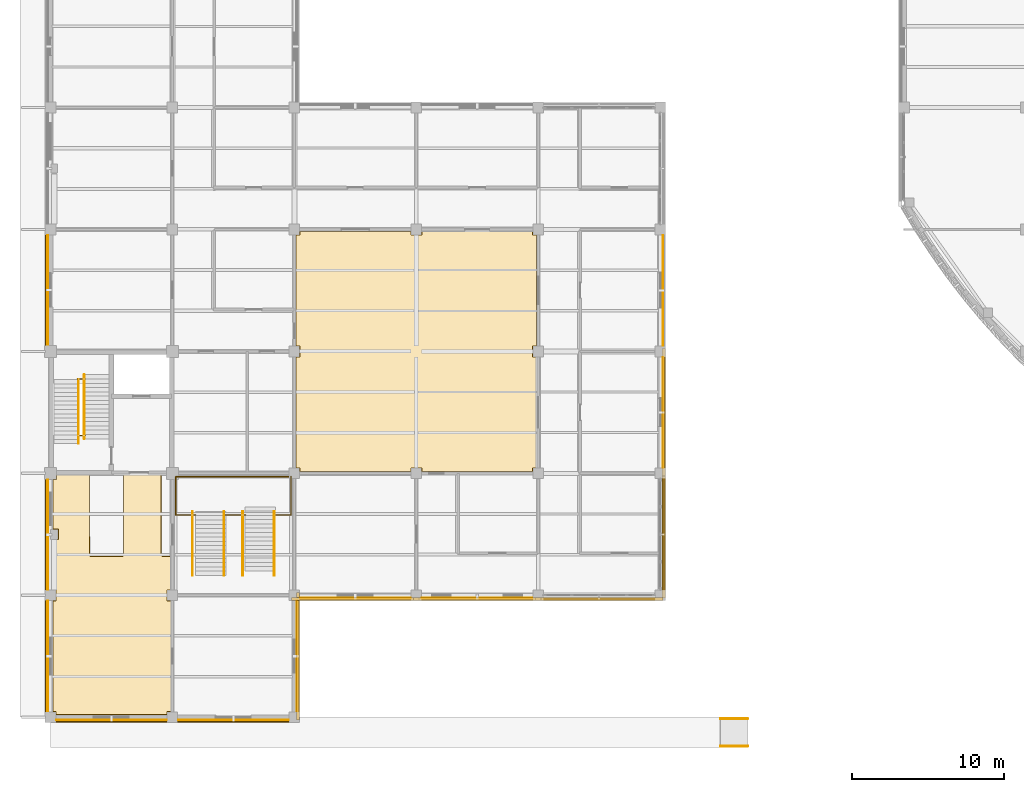
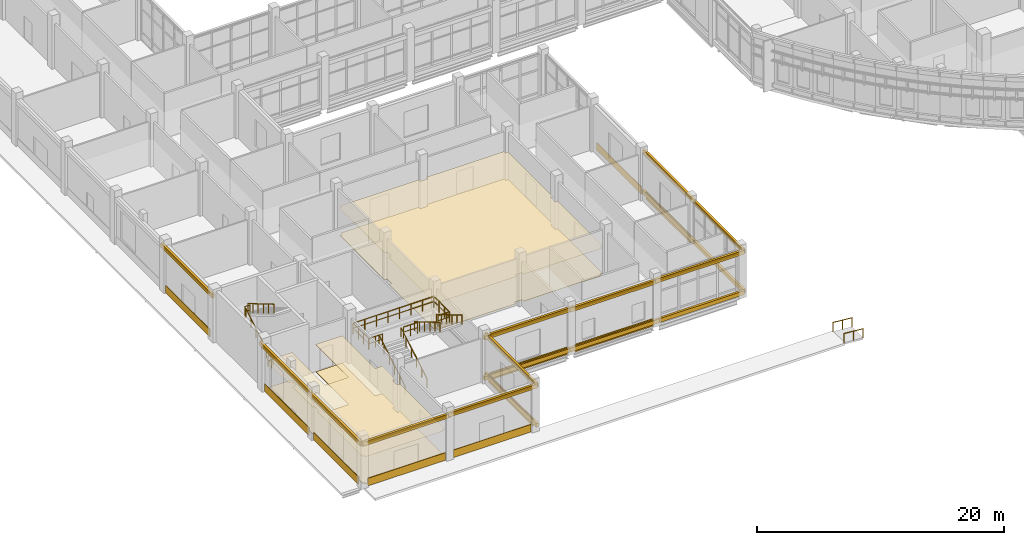
# One storey, part 92 of 105: 31 coverings, 16 railings, 11 shading devices.
"""IFC4 building model written with IfcOpenShell, lengths in metres."""

from ifc_helpers import new_model, si_unit, derived_unit, direction, frame, origin, origin_2d, place, context, subcontext, project, spatial, polyline, rectangle, circle, outline, extrude, material, layer, layer_set, material_profile, profile_set, type_object, element, save


model = new_model("IFC4")

# Units and contexts
model_context = context("Model", 3, precision=1e-05, world=origin(), true_north=direction((0.0, 1.0)))
body_context = subcontext(model_context, "Body", "Model", "MODEL_VIEW")
ifc_project = project(units=[si_unit("LENGTHUNIT", "METRE"), si_unit("AREAUNIT", "SQUARE_METRE"), si_unit("VOLUMEUNIT", "CUBIC_METRE"), si_unit("PLANEANGLEUNIT", "RADIAN"), si_unit("MASSUNIT", "GRAM", prefix="KILO"), derived_unit("THERMALTRANSMITTANCEUNIT", [(si_unit("MASSUNIT", "GRAM", prefix="KILO"), 1), (si_unit("TIMEUNIT", "SECOND"), -3), (si_unit("THERMODYNAMICTEMPERATUREUNIT", "KELVIN"), -1)])], contexts=[model_context])

# Site, building, storey
site_placement = place(None, origin())
site = spatial("IfcSite", under=ifc_project, at=site_placement, CompositionType="ELEMENT")
building_placement = place(site_placement, origin())
building = spatial("IfcBuilding", under=site, at=building_placement, Name="Veyamyaing Civic Hall", CompositionType="ELEMENT")
storey_placement = place(building_placement, origin())
storey = spatial("IfcBuildingStorey", under=building, at=storey_placement, Name="L00", CompositionType="ELEMENT", Elevation=0.0)

# Coverings
ifc_material_1 = material(Name="Buff sandstone ashlar cladding", Category="masonry")
ifc_layer_1 = layer(ifc_material_1, 0.050048828125, Name="Buff sandstone ashlar cladding")
ifc_layer_set_1 = layer_set([ifc_layer_1], Name="Buff sandstone ashlar cladding")
covering_type_1 = type_object("IfcCoveringType", Name="CL-01", PredefinedType="CLADDING", material=ifc_layer_set_1)
for number, where, z_axis, x_axis, name in (
    (1, (4.0, -0.180908203125, 0.044921875), (0.0, 0.0, 1.0), (1.0, 0.0, 0.0), "Facade spandrel cladding CL-01 L00 S 1.1"),
    (2, (-0.180908203125, 4.0, 0.044921875), (0.0, 0.0, 1.0), (0.0, 1.0, 0.0), "Facade spandrel cladding CL-01 L00 W 1.1"),
):
    element("IfcCovering", number, at=place(storey_placement, frame(where, z_axis=z_axis, x_axis=x_axis)), inside=storey, type_object=covering_type_1, Name=name, PredefinedType="CLADDING", context=body_context, shape_type="SweptSolid", body=[
        extrude(rectangle(XDim=7.25, YDim=0.050048828125, at=origin_2d()), origin(), (0.0, 0.0, 1.0), 0.75),
    ])
for number, where, z_axis, x_axis, name in (
    (3, (-0.180908203125, 11.97509765625, 0.044921875), (0.0, 0.0, 1.0), (0.0, 1.0, 0.0), "Facade spandrel cladding CL-01 L00 W 1.2"),
    (4, (-0.180908203125, 28.02490234375, 0.044921875), (0.0, 0.0, 1.0), (0.0, 1.0, 0.0), "Facade spandrel cladding CL-01 L00 W 1.4"),
):
    element("IfcCovering", number, at=place(storey_placement, frame(where, z_axis=z_axis, x_axis=x_axis)), inside=storey, type_object=covering_type_1, Name=name, PredefinedType="CLADDING", context=body_context, shape_type="SweptSolid", body=[
        extrude(rectangle(XDim=7.199951171875, YDim=0.050048828125, at=origin_2d()), origin(), (0.0, 0.0, 1.0), 0.75),
    ])
for number, where, z_axis, x_axis, name in (
    (5, (12.0, -0.180908203125, 0.044921875), (0.0, 0.0, 1.0), (1.0, 0.0, 0.0), "Facade spandrel cladding CL-01 L00 S 2.1"),
    (6, (16.180908203125, 4.0, 0.044921875), (0.0, 0.0, 1.0), (0.0, 1.0, 0.0), "Facade spandrel cladding CL-01 L00 E 2.1"),
    (7, (20.0, 7.819091796875, 0.044921875), (0.0, 0.0, 1.0), (1.0, 0.0, 0.0), "Facade spandrel cladding CL-01 L00 S 3.2"),
    (8, (28.0, 7.819091796875, 0.044921875), (0.0, 0.0, 1.0), (1.0, 0.0, 0.0), "Facade spandrel cladding CL-01 L00 S 4.2"),
    (9, (40.180908203125, 20.0, 0.044921875), (0.0, 0.0, 1.0), (0.0, 1.0, 0.0), "Facade spandrel cladding CL-01 L00 E 5.3"),
    (10, (40.180908203125, 28.0, 0.044921875), (0.0, 0.0, 1.0), (0.0, 1.0, 0.0), "Facade spandrel cladding CL-01 L00 E 5.4"),
):
    element("IfcCovering", number, at=place(storey_placement, frame(where, z_axis=z_axis, x_axis=x_axis)), inside=storey, type_object=covering_type_1, Name=name, PredefinedType="CLADDING", context=body_context, shape_type="SweptSolid", body=[
        extrude(rectangle(XDim=7.25, YDim=0.050048828125, at=origin_2d()), origin(), (0.0, 0.0, 1.0), 0.75),
    ])
ifc_material_2 = material(Name="White powder-coated aluminium 6063-T6", Category="aluminium")
ifc_layer_2 = layer(ifc_material_2, 0.2099609375, Name="White powder-coated aluminium 6063-T6")
ifc_layer_set_2 = layer_set([ifc_layer_2], Name="White powder-coated aluminium 6063-T6")
covering_type_2 = type_object("IfcCoveringType", Name="CL-03", PredefinedType="CLADDING", material=ifc_layer_set_2)
for number, where, z_axis, x_axis, name in (
    (11, (4.0, -0.239990234375, 4.22998046875), (0.0, 0.0, 1.0), (1.0, 0.0, 0.0), "Continuous white head fascia ribbon CL-03 L00 S 1.1"),
    (12, (-0.239990234375, 4.0, 4.22998046875), (0.0, 0.0, 1.0), (0.0, 1.0, 0.0), "Continuous white head fascia ribbon CL-03 L00 W 1.1"),
    (13, (-0.239990234375, 12.0, 4.2939453125), (0.0, 0.0, 1.0), (0.0, 1.0, 0.0), "Continuous white head fascia ribbon CL-03 L00 W 1.2"),
    (14, (-0.239990234375, 28.0, 4.297119140625), (0.0, 0.0, 1.0), (0.0, 1.0, 0.0), "Continuous white head fascia ribbon CL-03 L00 W 1.4"),
    (15, (12.0, -0.239990234375, 4.2939453125), (0.0, 0.0, 1.0), (1.0, 0.0, 0.0), "Continuous white head fascia ribbon CL-03 L00 S 2.1"),
    (16, (16.239990234375, 4.0, 4.234130859375), (0.0, 0.0, 1.0), (0.0, 1.0, 0.0), "Continuous white head fascia ribbon CL-03 L00 E 2.1"),
    (17, (16.239990234375, 4.0, 0.280029296875), (0.0, 0.0, 1.0), (0.0, 1.0, 0.0), "Continuous white sill fascia ribbon CL-03 L00 E 2.1"),
    (18, (20.0, 7.760009765625, 4.297119140625), (0.0, 0.0, 1.0), (1.0, 0.0, 0.0), "Continuous white head fascia ribbon CL-03 L00 S 3.2"),
    (19, (20.0, 7.760009765625, 0.280029296875), (0.0, 0.0, 1.0), (1.0, 0.0, 0.0), "Continuous white sill fascia ribbon CL-03 L00 S 3.2"),
    (20, (28.0, 7.760009765625, 4.22998046875), (0.0, 0.0, 1.0), (1.0, 0.0, 0.0), "Continuous white head fascia ribbon CL-03 L00 S 4.2"),
    (21, (28.0, 7.760009765625, 0.280029296875), (0.0, 0.0, 1.0), (1.0, 0.0, 0.0), "Continuous white sill fascia ribbon CL-03 L00 S 4.2"),
    (22, (36.0, 7.760009765625, 4.2939453125), (0.0, 0.0, 1.0), (1.0, 0.0, 0.0), "Continuous white head fascia ribbon CL-03 L00 S 5.2"),
    (23, (36.0, 7.760009765625, 0.280029296875), (0.0, 0.0, 1.0), (1.0, 0.0, 0.0), "Continuous white sill fascia ribbon CL-03 L00 S 5.2"),
    (24, (40.239990234375, 12.0, 4.234130859375), (0.0, 0.0, 1.0), (0.0, 1.0, 0.0), "Continuous white head fascia ribbon CL-03 L00 E 5.2"),
    (25, (40.239990234375, 12.0, 0.280029296875), (0.0, 0.0, 1.0), (0.0, 1.0, 0.0), "Continuous white sill fascia ribbon CL-03 L00 E 5.2"),
    (26, (40.239990234375, 20.0, 4.297119140625), (0.0, 0.0, 1.0), (0.0, 1.0, 0.0), "Continuous white head fascia ribbon CL-03 L00 E 5.3"),
    (27, (40.239990234375, 20.0, 0.280029296875), (0.0, 0.0, 1.0), (0.0, 1.0, 0.0), "Continuous white sill fascia ribbon CL-03 L00 E 5.3"),
):
    element("IfcCovering", number, at=place(storey_placement, frame(where, z_axis=z_axis, x_axis=x_axis)), inside=storey, type_object=covering_type_2, Name=name, PredefinedType="CLADDING", context=body_context, shape_type="SweptSolid", body=[
        extrude(rectangle(XDim=8.360107421875, YDim=0.2099609375, at=origin_2d()), origin(), (0.0, 0.0, 1.0), 0.39990234375),
    ])
ifc_material_3 = material(Name="Perforated acoustic gypsum ceiling board")
ifc_layer_3 = layer(ifc_material_3, 0.02490234375, Name="Perforated acoustic gypsum ceiling board")
ifc_layer_set_3 = layer_set([ifc_layer_3], Name="Perforated acoustic gypsum ceiling board")
covering_type_3 = type_object("IfcCoveringType", Name="CLG-01", PredefinedType="CEILING", material=ifc_layer_set_3)
covering_1_placement = place(storey_placement, frame((0.0, 0.0, 2.699951171875)))
element("IfcCovering", 28, at=covering_1_placement, inside=storey, type_object=covering_type_3, Name="Acoustic suspended ceiling CLG-01 L00-H01", PredefinedType="CEILING", context=body_context, shape_type="SweptSolid", body=[
    extrude(outline(polyline([(31.6650390625, 23.6650390625), (31.905029296875, 23.6650390625), (31.905029296875, 16.3349609375), (31.6650390625, 16.3349609375), (31.6650390625, 16.094970703125), (24.3349609375, 16.094970703125), (24.3349609375, 16.3349609375), (23.6650390625, 16.3349609375), (23.6650390625, 16.094970703125), (16.3349609375, 16.094970703125), (16.3349609375, 16.3349609375), (16.094970703125, 16.3349609375), (16.094970703125, 23.6650390625), (16.3349609375, 23.6650390625), (16.3349609375, 24.3349609375), (16.094970703125, 24.3349609375), (16.094970703125, 31.6650390625), (16.3349609375, 31.6650390625), (16.3349609375, 31.905029296875), (23.6650390625, 31.905029296875), (23.6650390625, 31.6650390625), (24.3349609375, 31.6650390625), (24.3349609375, 31.905029296875), (31.6650390625, 31.905029296875), (31.6650390625, 31.6650390625), (31.905029296875, 31.6650390625), (31.905029296875, 24.3349609375), (31.6650390625, 24.3349609375), (31.6650390625, 23.6650390625)])), origin(), (0.0, 0.0, 1.0), 0.025146484375),
])
covering_2_placement = place(storey_placement, frame((0.0, 0.0, 2.699951171875)))
element("IfcCovering", 29, at=covering_2_placement, inside=storey, type_object=covering_type_3, Name="Acoustic suspended ceiling CLG-01 L00-C01", PredefinedType="CEILING", context=body_context, shape_type="SweptSolid", body=[
    extrude(outline(polyline([(2.58837890625, 10.60791015625), (2.602294921875, 10.5927734375), (2.62890625, 10.578369140625), (2.65185546875, 10.574951171875), (4.6982421875, 10.574951171875), (4.7216796875, 10.57861328125), (4.741455078125, 10.587890625), (4.7578125, 10.6025390625), (4.768798828125, 10.620849609375), (4.77490234375, 10.652587890625), (4.77490234375, 15.925048828125), (7.27490234375, 15.925048828125), (7.275390625, 10.643310546875), (7.28076171875, 10.6220703125), (7.297607421875, 10.5966796875), (7.314208984375, 10.58447265625), (7.343994140625, 10.575439453125), (7.925048828125, 10.574951171875), (7.925048828125, 8.3349609375), (7.6650390625, 8.3349609375), (7.6650390625, 7.6650390625), (7.925048828125, 7.6650390625), (7.925048828125, 0.3349609375), (7.6650390625, 0.3349609375), (7.6650390625, 0.155029296875), (0.3349609375, 0.155029296875), (0.3349609375, 0.3349609375), (0.155029296875, 0.3349609375), (0.155029296875, 7.6650390625), (0.3349609375, 7.6650390625), (0.3349609375, 8.3349609375), (0.155029296875, 8.3349609375), (0.155029296875, 11.68994140625), (0.485107421875, 11.68994140625), (0.485107421875, 12.31005859375), (0.155029296875, 12.31005859375), (0.155029296875, 15.614990234375), (0.385009765625, 15.614990234375), (0.385009765625, 15.925048828125), (2.574951171875, 15.925048828125), (2.576904296875, 10.635498046875), (2.58837890625, 10.60791015625)])), origin(), (0.0, 0.0, 1.0), 0.025146484375),
])
ifc_material_4 = material(Name="Polished Mandalay marble and terrazzo flooring", Category="masonry")
ifc_layer_4 = layer(ifc_material_4, 0.030029296875, Name="Polished Mandalay marble and terrazzo flooring")
ifc_layer_set_4 = layer_set([ifc_layer_4], Name="Polished Mandalay marble and terrazzo flooring")
covering_type_4 = type_object("IfcCoveringType", Name="FLR-01", PredefinedType="FLOORING", material=ifc_layer_set_4)
covering_3_placement = place(storey_placement, origin())
element("IfcCovering", 30, at=covering_3_placement, inside=storey, type_object=covering_type_4, Name="Stone and terrazzo flooring FLR-01 L00-H01", PredefinedType="FLOORING", context=body_context, shape_type="SweptSolid", body=[
    extrude(outline(polyline([(31.639892578125, 23.639892578125), (31.8798828125, 23.639892578125), (31.8798828125, 16.360107421875), (31.639892578125, 16.360107421875), (31.639892578125, 16.1201171875), (24.360107421875, 16.1201171875), (24.360107421875, 16.360107421875), (23.639892578125, 16.360107421875), (23.639892578125, 16.1201171875), (16.360107421875, 16.1201171875), (16.360107421875, 16.360107421875), (16.1201171875, 16.360107421875), (16.1201171875, 23.639892578125), (16.360107421875, 23.639892578125), (16.360107421875, 24.360107421875), (16.1201171875, 24.360107421875), (16.1201171875, 31.639892578125), (16.360107421875, 31.639892578125), (16.360107421875, 31.8798828125), (23.639892578125, 31.8798828125), (23.639892578125, 31.639892578125), (24.360107421875, 31.639892578125), (24.360107421875, 31.8798828125), (31.639892578125, 31.8798828125), (31.639892578125, 31.639892578125), (31.8798828125, 31.639892578125), (31.8798828125, 24.360107421875), (31.639892578125, 24.360107421875), (31.639892578125, 23.639892578125)])), origin(), (0.0, 0.0, 1.0), 0.030029296875),
])
covering_4_placement = place(storey_placement, origin())
element("IfcCovering", 31, at=covering_4_placement, inside=storey, type_object=covering_type_4, Name="Stone and terrazzo flooring FLR-01 L00-C01", PredefinedType="FLOORING", context=body_context, shape_type="SweptSolid", body=[
    extrude(outline(polyline([(2.56689453125, 10.594482421875), (2.586669921875, 10.57275390625), (2.62109375, 10.55419921875), (2.64990234375, 10.550048828125), (4.699951171875, 10.550048828125), (4.72900390625, 10.55419921875), (4.755615234375, 10.56689453125), (4.77734375, 10.586669921875), (4.79248046875, 10.61181640625), (4.800048828125, 10.64990234375), (4.800048828125, 15.89990234375), (7.25, 15.89990234375), (7.25048828125, 10.64013671875), (7.257568359375, 10.61181640625), (7.279296875, 10.579345703125), (7.302978515625, 10.561767578125), (7.340087890625, 10.550537109375), (7.89990234375, 10.550048828125), (7.89990234375, 8.360107421875), (7.639892578125, 8.360107421875), (7.639892578125, 7.639892578125), (7.89990234375, 7.639892578125), (7.89990234375, 0.360107421875), (7.639892578125, 0.360107421875), (7.639892578125, 0.179931640625), (0.360107421875, 0.179931640625), (0.360107421875, 0.360107421875), (0.179931640625, 0.360107421875), (0.179931640625, 7.639892578125), (0.360107421875, 7.639892578125), (0.360107421875, 8.360107421875), (0.179931640625, 8.360107421875), (0.179931640625, 11.6650390625), (0.510009765625, 11.6650390625), (0.510009765625, 12.3349609375), (0.179931640625, 12.3349609375), (0.179931640625, 15.590087890625), (0.409912109375, 15.590087890625), (0.409912109375, 15.89990234375), (2.550048828125, 15.89990234375), (2.552001953125, 10.630615234375), (2.56689453125, 10.594482421875)])), origin(), (0.0, 0.0, 1.0), 0.030029296875),
])

# Railings
ifc_material_5 = material(Name="Steel S355J2", Category="steel")
railing_type_1 = type_object("IfcRailingType", Name="RL-01", PredefinedType="BALUSTRADE", material=ifc_material_5)
railing_1_placement = place(storey_placement, frame((1.780029296875, 22.18994140625, 2.639892578125)))
element("IfcRailing", 32, at=railing_1_placement, inside=storey, type_object=railing_type_1, Name="Half-landing slot guard RL-01 ST-09 L00", PredefinedType="BALUSTRADE", context=body_context, shape_type="SweptSolid", body=[
    extrude(circle(Radius=0.02392578125, at=origin_2d()), frame((0.0, 0.0, 1.076171875), z_axis=(1.0, 0.0, 0.0), x_axis=(0.0, 1.0, 0.0)), (0.0, 0.0, 1.0), 0.489990234375),
    extrude(circle(Radius=0.01416015625, at=origin_2d()), frame((0.0, 0.0, 0.572021484375), z_axis=(1.0, 0.0, 0.0), x_axis=(0.0, 1.0, 0.0)), (0.0, 0.0, 1.0), 0.489990234375),
    extrude(circle(Radius=0.02099609375, at=origin_2d()), origin(), (0.0, 0.0, 1.0), 1.052001953125),
    extrude(circle(Radius=0.02099609375, at=origin_2d()), frame((0.489990234375, 0.0, 0.0)), (0.0, 0.0, 1.0), 1.052001953125),
])
railing_2_placement = place(storey_placement, frame((1.800048828125, 18.47998046875, 0.0)))
element("IfcRailing", 33, at=railing_2_placement, inside=storey, type_object=railing_type_1, Name="Floor-landing slot guard RL-01 ST-09 L00", PredefinedType="BALUSTRADE", context=body_context, shape_type="SweptSolid", body=[
    extrude(circle(Radius=0.02392578125, at=origin_2d()), frame((0.0, 0.0, 1.076171875), z_axis=(1.0, 0.0, 0.0), x_axis=(0.0, 1.0, 0.0)), (0.0, 0.0, 1.0), 0.469970703125),
    extrude(circle(Radius=0.01416015625, at=origin_2d()), frame((0.0, 0.0, 0.572021484375), z_axis=(1.0, 0.0, 0.0), x_axis=(0.0, 1.0, 0.0)), (0.0, 0.0, 1.0), 0.469970703125),
    extrude(circle(Radius=0.02099609375, at=origin_2d()), origin(), (0.0, 0.0, 1.0), 1.052001953125),
    extrude(circle(Radius=0.02099609375, at=origin_2d()), frame((0.469970703125, 0.0, 0.0)), (0.0, 0.0, 1.0), 1.052001953125),
])
railing_3_placement = place(storey_placement, frame((8.219970703125, 13.260009765625, 2.639892578125)))
element("IfcRailing", 34, at=railing_3_placement, inside=storey, type_object=railing_type_1, Name="Monumental stair half-landing guard ST-07.1", PredefinedType="BALUSTRADE", context=body_context, shape_type="SweptSolid", body=[
    extrude(circle(Radius=0.02392578125, at=origin_2d()), frame((0.0, 0.0, 1.076171875), z_axis=(1.0, 0.0, 0.0), x_axis=(0.0, 1.0, 0.0)), (0.0, 0.0, 1.0), 1.300048828125),
    extrude(circle(Radius=0.01416015625, at=origin_2d()), frame((0.0, 0.0, 0.572021484375), z_axis=(1.0, 0.0, 0.0), x_axis=(0.0, 1.0, 0.0)), (0.0, 0.0, 1.0), 1.300048828125),
    extrude(circle(Radius=0.02099609375, at=origin_2d()), origin(), (0.0, 0.0, 1.0), 1.052001953125),
    extrude(circle(Radius=0.02099609375, at=origin_2d()), frame((0.64990234375, 0.0, 0.0)), (0.0, 0.0, 1.0), 1.052001953125),
    extrude(circle(Radius=0.02099609375, at=origin_2d()), frame((1.300048828125, 0.0, 0.0)), (0.0, 0.0, 1.0), 1.052001953125),
])
railing_4_placement = place(storey_placement, frame((8.219970703125, 13.260009765625, 2.639892578125)))
element("IfcRailing", 35, at=railing_4_placement, inside=storey, type_object=railing_type_1, Name="Monumental stair half-landing guard ST-07.2", PredefinedType="BALUSTRADE", context=body_context, shape_type="SweptSolid", body=[
    extrude(circle(Radius=0.02392578125, at=origin_2d()), frame((0.0, 0.0, 1.076171875), z_axis=(0.0, 1.0, 0.0), x_axis=(-1.0, 0.0, 0.0)), (0.0, 0.0, 1.0), 2.52001953125),
    extrude(circle(Radius=0.01416015625, at=origin_2d()), frame((0.0, 0.0, 0.572021484375), z_axis=(0.0, 1.0, 0.0), x_axis=(-1.0, 0.0, 0.0)), (0.0, 0.0, 1.0), 2.52001953125),
    extrude(circle(Radius=0.02099609375, at=origin_2d()), origin(), (0.0, 0.0, 1.0), 1.052001953125),
    extrude(circle(Radius=0.02099609375, at=origin_2d()), frame((0.0, 0.840087890625, 0.0)), (0.0, 0.0, 1.0), 1.052001953125),
    extrude(circle(Radius=0.02099609375, at=origin_2d()), frame((0.0, 1.679931640625, 0.0)), (0.0, 0.0, 1.0), 1.052001953125),
    extrude(circle(Radius=0.02099609375, at=origin_2d()), frame((0.0, 2.52001953125, 0.0)), (0.0, 0.0, 1.0), 1.052001953125),
])
railing_5_placement = place(storey_placement, frame((8.219970703125, 15.780029296875, 2.639892578125)))
element("IfcRailing", 36, at=railing_5_placement, inside=storey, type_object=railing_type_1, Name="Monumental stair half-landing guard ST-07.3", PredefinedType="BALUSTRADE", context=body_context, shape_type="SweptSolid", body=[
    extrude(circle(Radius=0.02392578125, at=origin_2d()), frame((0.0, 0.0, 1.076171875), z_axis=(1.0, 0.0, 0.0), x_axis=(0.0, 1.0, 0.0)), (0.0, 0.0, 1.0), 7.56005859375),
    extrude(circle(Radius=0.01416015625, at=origin_2d()), frame((0.0, 0.0, 0.572021484375), z_axis=(1.0, 0.0, 0.0), x_axis=(0.0, 1.0, 0.0)), (0.0, 0.0, 1.0), 7.56005859375),
    extrude(circle(Radius=0.02099609375, at=origin_2d()), origin(), (0.0, 0.0, 1.0), 1.052001953125),
    extrude(circle(Radius=0.02099609375, at=origin_2d()), frame((1.080078125, 0.0, 0.0)), (0.0, 0.0, 1.0), 1.052001953125),
    extrude(circle(Radius=0.02099609375, at=origin_2d()), frame((2.159912109375, 0.0, 0.0)), (0.0, 0.0, 1.0), 1.052001953125),
    extrude(circle(Radius=0.02099609375, at=origin_2d()), frame((3.239990234375, 0.0, 0.0)), (0.0, 0.0, 1.0), 1.052001953125),
    extrude(circle(Radius=0.02099609375, at=origin_2d()), frame((4.320068359375, 0.0, 0.0)), (0.0, 0.0, 1.0), 1.052001953125),
    extrude(circle(Radius=0.02099609375, at=origin_2d()), frame((5.400146484375, 0.0, 0.0)), (0.0, 0.0, 1.0), 1.052001953125),
    extrude(circle(Radius=0.02099609375, at=origin_2d()), frame((6.47998046875, 0.0, 0.0)), (0.0, 0.0, 1.0), 1.052001953125),
    extrude(circle(Radius=0.02099609375, at=origin_2d()), frame((7.56005859375, 0.0, 0.0)), (0.0, 0.0, 1.0), 1.052001953125),
])
railing_6_placement = place(storey_placement, frame((15.780029296875, 15.780029296875, 2.639892578125)))
element("IfcRailing", 37, at=railing_6_placement, inside=storey, type_object=railing_type_1, Name="Monumental stair half-landing guard ST-07.4", PredefinedType="BALUSTRADE", context=body_context, shape_type="SweptSolid", body=[
    extrude(circle(Radius=0.02392578125, at=origin_2d()), frame((0.0, 0.0, 1.076171875), z_axis=(0.0, -1.0, 0.0), x_axis=(1.0, 0.0, 0.0)), (0.0, 0.0, 1.0), 2.52001953125),
    extrude(circle(Radius=0.01416015625, at=origin_2d()), frame((0.0, 0.0, 0.572021484375), z_axis=(0.0, -1.0, 0.0), x_axis=(1.0, 0.0, 0.0)), (0.0, 0.0, 1.0), 2.52001953125),
    extrude(circle(Radius=0.02099609375, at=origin_2d()), origin(), (0.0, 0.0, 1.0), 1.052001953125),
    extrude(circle(Radius=0.02099609375, at=origin_2d()), frame((0.0, -0.840087890625, 0.0)), (0.0, 0.0, 1.0), 1.052001953125),
    extrude(circle(Radius=0.02099609375, at=origin_2d()), frame((0.0, -1.679931640625, 0.0)), (0.0, 0.0, 1.0), 1.052001953125),
    extrude(circle(Radius=0.02099609375, at=origin_2d()), frame((0.0, -2.52001953125, 0.0)), (0.0, 0.0, 1.0), 1.052001953125),
])
railing_7_placement = place(storey_placement, frame((14.719970703125, 13.260009765625, 2.639892578125)))
element("IfcRailing", 38, at=railing_7_placement, inside=storey, type_object=railing_type_1, Name="Monumental stair half-landing guard ST-07.5", PredefinedType="BALUSTRADE", context=body_context, shape_type="SweptSolid", body=[
    extrude(circle(Radius=0.02392578125, at=origin_2d()), frame((0.0, 0.0, 1.076171875), z_axis=(1.0, 0.0, 0.0), x_axis=(0.0, 1.0, 0.0)), (0.0, 0.0, 1.0), 1.06005859375),
    extrude(circle(Radius=0.01416015625, at=origin_2d()), frame((0.0, 0.0, 0.572021484375), z_axis=(1.0, 0.0, 0.0), x_axis=(0.0, 1.0, 0.0)), (0.0, 0.0, 1.0), 1.06005859375),
    extrude(circle(Radius=0.02099609375, at=origin_2d()), origin(), (0.0, 0.0, 1.0), 1.052001953125),
    extrude(circle(Radius=0.02099609375, at=origin_2d()), frame((1.06005859375, 0.0, 0.0)), (0.0, 0.0, 1.0), 1.052001953125),
])
railing_8_placement = place(storey_placement, frame((11.47998046875, 13.260009765625, 2.639892578125)))
element("IfcRailing", 39, at=railing_8_placement, inside=storey, type_object=railing_type_1, Name="Monumental stair half-landing guard ST-07.6", PredefinedType="BALUSTRADE", context=body_context, shape_type="SweptSolid", body=[
    extrude(circle(Radius=0.02392578125, at=origin_2d()), frame((0.0, 0.0, 1.076171875), z_axis=(1.0, 0.0, 0.0), x_axis=(0.0, 1.0, 0.0)), (0.0, 0.0, 1.0), 1.300048828125),
    extrude(circle(Radius=0.01416015625, at=origin_2d()), frame((0.0, 0.0, 0.572021484375), z_axis=(1.0, 0.0, 0.0), x_axis=(0.0, 1.0, 0.0)), (0.0, 0.0, 1.0), 1.300048828125),
    extrude(circle(Radius=0.02099609375, at=origin_2d()), origin(), (0.0, 0.0, 1.0), 1.052001953125),
    extrude(circle(Radius=0.02099609375, at=origin_2d()), frame((0.64990234375, 0.0, 0.0)), (0.0, 0.0, 1.0), 1.052001953125),
    extrude(circle(Radius=0.02099609375, at=origin_2d()), frame((1.300048828125, 0.0, 0.0)), (0.0, 0.0, 1.0), 1.052001953125),
])
railing_type_2 = type_object("IfcRailingType", Name="RL-02", PredefinedType="HANDRAIL", material=ifc_material_5)
railing_9_placement = place(storey_placement, frame((1.840087890625, 17.949951171875, 0.1650390625)))
element("IfcRailing", 40, at=railing_9_placement, inside=storey, type_object=railing_type_2, Name="Stair pitch handrail RL-02 ST-09 L00.1", PredefinedType="HANDRAIL", context=body_context, shape_type="SweptSolid", body=[
    extrude(circle(Radius=0.02392578125, at=origin_2d()), frame((0.0, 0.0, 0.89599609375), z_axis=(0.0, 0.861549022881, 0.507674384988), x_axis=(-1.0, 0.0, 0.0)), (0.0, 0.0, 1.0), 4.875),
    extrude(circle(Radius=0.02099609375, at=origin_2d()), origin(), (0.0, 0.0, 1.0), 0.871826171875),
    extrude(circle(Radius=0.02099609375, at=origin_2d()), frame((0.0, 0.840087890625, 0.494873046875)), (0.0, 0.0, 1.0), 0.871826171875),
    extrude(circle(Radius=0.02099609375, at=origin_2d()), frame((0.0, 1.679931640625, 0.989990234375)), (0.0, 0.0, 1.0), 0.871826171875),
    extrude(circle(Radius=0.02099609375, at=origin_2d()), frame((0.0, 2.52001953125, 1.48486328125)), (0.0, 0.0, 1.0), 0.871826171875),
    extrude(circle(Radius=0.02099609375, at=origin_2d()), frame((0.0, 3.35986328125, 1.97998046875)), (0.0, 0.0, 1.0), 0.871826171875),
    extrude(circle(Radius=0.02099609375, at=origin_2d()), frame((0.0, 4.199951171875, 2.474853515625)), (0.0, 0.0, 1.0), 0.871826171875),
])
railing_10_placement = place(storey_placement, frame((2.219970703125, 22.469970703125, 2.804931640625)))
element("IfcRailing", 41, at=railing_10_placement, inside=storey, type_object=railing_type_2, Name="Stair pitch handrail RL-02 ST-09 L00.2", PredefinedType="HANDRAIL", context=body_context, shape_type="SweptSolid", body=[
    extrude(circle(Radius=0.02392578125, at=origin_2d()), frame((0.0, 0.0, 0.89599609375), z_axis=(0.0, -0.861527117747, 0.50771155727), x_axis=(1.0, 0.0, 0.0)), (0.0, 0.0, 1.0), 4.875),
    extrude(circle(Radius=0.02099609375, at=origin_2d()), origin(), (0.0, 0.0, 1.0), 0.871826171875),
    extrude(circle(Radius=0.02099609375, at=origin_2d()), frame((0.0, -0.840087890625, 0.4951171875)), (0.0, 0.0, 1.0), 0.871826171875),
    extrude(circle(Radius=0.02099609375, at=origin_2d()), frame((0.0, -1.679931640625, 0.989990234375)), (0.0, 0.0, 1.0), 0.871826171875),
    extrude(circle(Radius=0.02099609375, at=origin_2d()), frame((0.0, -2.52001953125, 1.485107421875)), (0.0, 0.0, 1.0), 0.871826171875),
    extrude(circle(Radius=0.02099609375, at=origin_2d()), frame((0.0, -3.35986328125, 1.97998046875)), (0.0, 0.0, 1.0), 0.871826171875),
    extrude(circle(Radius=0.02099609375, at=origin_2d()), frame((0.0, -4.199951171875, 2.47509765625)), (0.0, 0.0, 1.0), 0.871826171875),
])
for number, where, name in (
    (42, (9.320068359375, 9.300048828125, 0.1650390625), "Monumental stair handrail ST-07.1"),
    (43, (11.3798828125, 9.300048828125, 0.1650390625), "Monumental stair handrail ST-07.2"),
):
    element("IfcRailing", number, at=place(storey_placement, frame(where)), inside=storey, type_object=railing_type_2, Name=name, PredefinedType="HANDRAIL", context=body_context, shape_type="SweptSolid", body=[
        extrude(circle(Radius=0.02392578125, at=origin_2d()), frame((0.0, 0.0, 0.89599609375), z_axis=(0.0, 0.861549022881, 0.507674384988), x_axis=(-1.0, 0.0, 0.0)), (0.0, 0.0, 1.0), 4.875),
        extrude(circle(Radius=0.02099609375, at=origin_2d()), origin(), (0.0, 0.0, 1.0), 0.871826171875),
        extrude(circle(Radius=0.02099609375, at=origin_2d()), frame((0.0, 0.840087890625, 0.494873046875)), (0.0, 0.0, 1.0), 0.871826171875),
        extrude(circle(Radius=0.02099609375, at=origin_2d()), frame((0.0, 1.679931640625, 0.989990234375)), (0.0, 0.0, 1.0), 0.871826171875),
        extrude(circle(Radius=0.02099609375, at=origin_2d()), frame((0.0, 2.52001953125, 1.48486328125)), (0.0, 0.0, 1.0), 0.871826171875),
        extrude(circle(Radius=0.02099609375, at=origin_2d()), frame((0.0, 3.35986328125, 1.97998046875)), (0.0, 0.0, 1.0), 0.871826171875),
        extrude(circle(Radius=0.02099609375, at=origin_2d()), frame((0.0, 4.199951171875, 2.474853515625)), (0.0, 0.0, 1.0), 0.871826171875),
    ])
for number, where, name in (
    (44, (12.6201171875, 13.5, 2.804931640625), "Monumental stair handrail ST-07.3"),
    (45, (14.679931640625, 13.5, 2.804931640625), "Monumental stair handrail ST-07.4"),
):
    element("IfcRailing", number, at=place(storey_placement, frame(where)), inside=storey, type_object=railing_type_2, Name=name, PredefinedType="HANDRAIL", context=body_context, shape_type="SweptSolid", body=[
        extrude(circle(Radius=0.02392578125, at=origin_2d()), frame((0.0, 0.0, 0.89599609375), z_axis=(0.0, -0.861527117747, 0.50771155727), x_axis=(1.0, 0.0, 0.0)), (0.0, 0.0, 1.0), 4.875),
        extrude(circle(Radius=0.02099609375, at=origin_2d()), origin(), (0.0, 0.0, 1.0), 0.871826171875),
        extrude(circle(Radius=0.02099609375, at=origin_2d()), frame((0.0, -0.840087890625, 0.4951171875)), (0.0, 0.0, 1.0), 0.871826171875),
        extrude(circle(Radius=0.02099609375, at=origin_2d()), frame((0.0, -1.679931640625, 0.989990234375)), (0.0, 0.0, 1.0), 0.871826171875),
        extrude(circle(Radius=0.02099609375, at=origin_2d()), frame((0.0, -2.52001953125, 1.485107421875)), (0.0, 0.0, 1.0), 0.871826171875),
        extrude(circle(Radius=0.02099609375, at=origin_2d()), frame((0.0, -3.35986328125, 1.97998046875)), (0.0, 0.0, 1.0), 0.871826171875),
        extrude(circle(Radius=0.02099609375, at=origin_2d()), frame((0.0, -4.199951171875, 2.47509765625)), (0.0, 0.0, 1.0), 0.871826171875),
    ])
for number, where, name in (
    (46, (45.75, -1.89990234375, -0.14990234375), "Accessible ramp handrail RMP-SW.1"),
    (47, (45.75, -0.10009765625, -0.14990234375), "Accessible ramp handrail RMP-SW.2"),
):
    element("IfcRailing", number, at=place(storey_placement, frame(where)), inside=storey, type_object=railing_type_2, Name=name, PredefinedType="HANDRAIL", context=body_context, shape_type="SweptSolid", body=[
        extrude(circle(Radius=0.02392578125, at=origin_2d()), frame((0.0, 0.0, 0.89599609375), z_axis=(-0.996550417439, 0.0, 0.082989550564), x_axis=(0.0, -1.0, 0.0)), (0.0, 0.0, 1.0), 1.806396484375),
        extrude(circle(Radius=0.02099609375, at=origin_2d()), origin(), (0.0, 0.0, 1.0), 0.871826171875),
        extrude(circle(Radius=0.02099609375, at=origin_2d()), frame((-0.89990234375, 0.0, 0.074951171875)), (0.0, 0.0, 1.0), 0.871826171875),
        extrude(circle(Radius=0.02099609375, at=origin_2d()), frame((-1.800048828125, 0.0, 0.14990234375)), (0.0, 0.0, 1.0), 0.871826171875),
    ])

# Shading devices
ifc_material_profile = material_profile(ifc_material_2, circle(Radius=0.090087890625, at=origin_2d()), Name="SHADE-TUBE-180")
ifc_profile_set = profile_set([ifc_material_profile], Name="White powder-coated aluminium 6063-T6")
shading_device_type = type_object("IfcShadingDeviceType", Name="SH-02", PredefinedType="USERDEFINED", material=ifc_profile_set)
for number, where, z_axis, x_axis, name in (
    (48, (0.3349609375, -0.239990234375, 4.389892578125), (1.0, 0.0, 0.0), (0.0, 1.0, 0.0), "Horizontal white sunshade ribbon SH-02 L00 S 1.1"),
    (49, (-0.239990234375, 0.3349609375, 4.389892578125), (0.0, 1.0, 0.0), (-1.0, 0.0, 0.0), "Horizontal white sunshade ribbon SH-02 L00 W 1.1"),
):
    element("IfcShadingDevice", number, at=place(storey_placement, frame(where, z_axis=z_axis, x_axis=x_axis)), inside=storey, type_object=shading_device_type, Name=name, ObjectType="SUNSHADE", PredefinedType="USERDEFINED", context=body_context, shape_type="SweptSolid", body=[
        extrude(circle(Radius=0.090087890625, at=origin_2d()), origin(), (0.0, 0.0, 1.0), 7.330078125),
    ])
for number, where, z_axis, x_axis, name in (
    (50, (-0.239990234375, 8.3349609375, 4.4541015625), (0.0, 1.0, 0.0), (-1.0, 0.0, 0.0), "Horizontal white sunshade ribbon SH-02 L00 W 1.2"),
    (51, (-0.239990234375, 24.385009765625, 4.45703125), (0.0, 1.0, 0.0), (-1.0, 0.0, 0.0), "Horizontal white sunshade ribbon SH-02 L00 W 1.4"),
):
    element("IfcShadingDevice", number, at=place(storey_placement, frame(where, z_axis=z_axis, x_axis=x_axis)), inside=storey, type_object=shading_device_type, Name=name, ObjectType="SUNSHADE", PredefinedType="USERDEFINED", context=body_context, shape_type="SweptSolid", body=[
        extrude(circle(Radius=0.090087890625, at=origin_2d()), origin(), (0.0, 0.0, 1.0), 7.280029296875),
    ])
for number, where, z_axis, x_axis, name in (
    (52, (8.3349609375, -0.239990234375, 4.4541015625), (1.0, 0.0, 0.0), (0.0, 1.0, 0.0), "Horizontal white sunshade ribbon SH-02 L00 S 2.1"),
    (53, (16.239990234375, 0.3349609375, 4.39404296875), (0.0, 1.0, 0.0), (-1.0, 0.0, 0.0), "Horizontal white sunshade ribbon SH-02 L00 E 2.1"),
    (54, (16.3349609375, 7.760009765625, 4.45703125), (1.0, 0.0, 0.0), (0.0, 1.0, 0.0), "Horizontal white sunshade ribbon SH-02 L00 S 3.2"),
    (55, (24.3349609375, 7.760009765625, 4.389892578125), (1.0, 0.0, 0.0), (0.0, 1.0, 0.0), "Horizontal white sunshade ribbon SH-02 L00 S 4.2"),
    (56, (32.3349609375, 7.760009765625, 4.4541015625), (1.0, 0.0, 0.0), (0.0, 1.0, 0.0), "Horizontal white sunshade ribbon SH-02 L00 S 5.2"),
    (57, (40.239990234375, 8.3349609375, 4.39404296875), (0.0, 1.0, 0.0), (-1.0, 0.0, 0.0), "Horizontal white sunshade ribbon SH-02 L00 E 5.2"),
    (58, (40.239990234375, 16.3349609375, 4.45703125), (0.0, 1.0, 0.0), (-1.0, 0.0, 0.0), "Horizontal white sunshade ribbon SH-02 L00 E 5.3"),
):
    element("IfcShadingDevice", number, at=place(storey_placement, frame(where, z_axis=z_axis, x_axis=x_axis)), inside=storey, type_object=shading_device_type, Name=name, ObjectType="SUNSHADE", PredefinedType="USERDEFINED", context=body_context, shape_type="SweptSolid", body=[
        extrude(circle(Radius=0.090087890625, at=origin_2d()), origin(), (0.0, 0.0, 1.0), 7.330078125),
    ])

save(model, "model.ifc")
